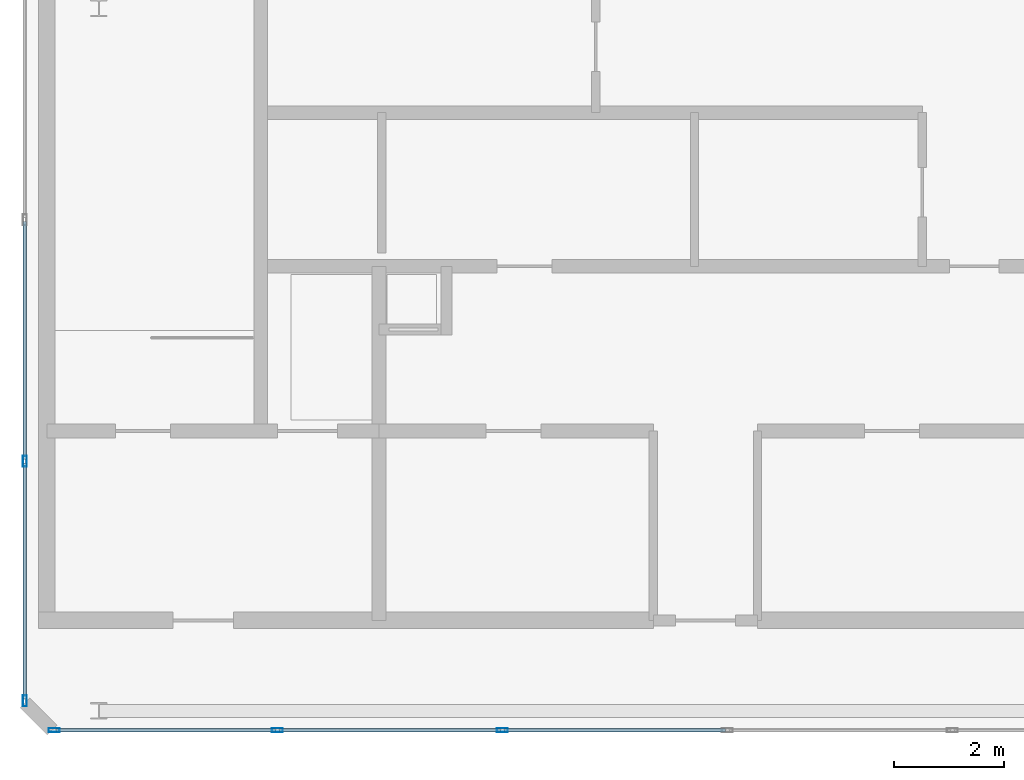
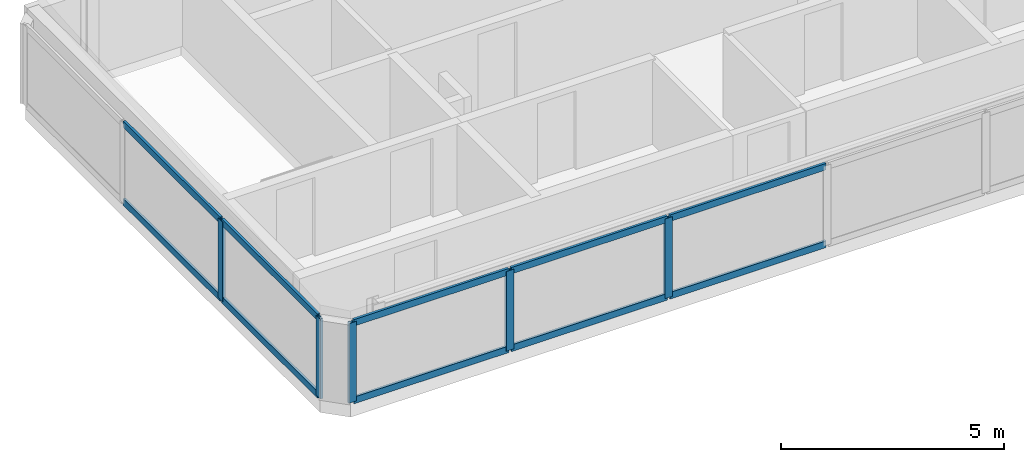
# One storey, part 2 of 9: 15 members, 2 elements without a shape of their own.
"""IFC4 building model written with IfcOpenShell, lengths in metres."""

from ifc_helpers import new_model, si_unit, direction, frame, origin, origin_2d, place, context, subcontext, project, spatial, hollow_rectangle, extrude, material, layer, layer_set, material_profile, profile_set, type_object, element, aggregate, save


model = new_model("IFC4")

# Units and contexts
model_context = context("Model", 3, precision=1e-05, world=origin(), true_north=direction((0.0, 1.0)))
body_context = subcontext(model_context, "Body", "Model", "MODEL_VIEW")
ifc_project = project(units=[si_unit("LENGTHUNIT", "METRE"), si_unit("AREAUNIT", "SQUARE_METRE"), si_unit("VOLUMEUNIT", "CUBIC_METRE"), si_unit("PLANEANGLEUNIT", "RADIAN"), si_unit("MASSUNIT", "GRAM", prefix="KILO")], contexts=[model_context])

# Site, building, storey
site_placement = place(None, origin())
site = spatial("IfcSite", under=ifc_project, at=site_placement, CompositionType="ELEMENT")
building_placement = place(site_placement, origin())
building = spatial("IfcBuilding", under=site, at=building_placement, Name="Catumbela Crestline Tower", CompositionType="ELEMENT")
storey_placement = place(building_placement, frame((0.0, 0.0, 318.5)))
storey = spatial("IfcBuildingStorey", under=building, at=storey_placement, Name="L82", CompositionType="ELEMENT", Elevation=318.5)

# Curtain wall, members
ifc_material = material(Name="Aluminium alloy AW-6060-T66", Category="aluminium")
ifc_layer = layer(ifc_material, 0.18, Name="Aluminium alloy AW-6060-T66")
ifc_layer_set = layer_set([ifc_layer], Name="Aluminium alloy AW-6060-T66")
curtain_wall_type = type_object("IfcCurtainWallType", Name="CWS-OBS", PredefinedType="USERDEFINED", material=ifc_layer_set)
curtain_wall_1_placement = place(storey_placement, origin())
curtain_wall_1 = element("IfcCurtainWall", 1, at=curtain_wall_1_placement, inside=storey, type_object=curtain_wall_type, Name="L82 Stick Curtain Wall CW-L82-E0S1", ObjectType="STICK", PredefinedType="USERDEFINED")
ifc_material_profile_1 = material_profile(ifc_material, hollow_rectangle(XDim=0.075, YDim=0.2, WallThickness=0.005, at=origin_2d()), Name="ALU 200x75x5")
ifc_profile_set_1 = profile_set([ifc_material_profile_1], Name="Aluminium alloy AW-6060-T66")
member_type_1 = type_object("IfcMemberType", Name="MUL-200X75", PredefinedType="MULLION", material=ifc_profile_set_1)
member_1_placement = place(storey_placement, frame((16.1325, 28.8, 0.0), z_axis=(0.0, 0.0, 1.0), x_axis=(0.0, 1.0, 0.0)))
member_1 = element("IfcMember", 2, at=member_1_placement, type_object=member_type_1, Name="CWS-OBS mullion 1", PredefinedType="MULLION", context=body_context, shape_type="SweptSolid", body=[
    extrude(hollow_rectangle(XDim=0.075, YDim=0.2, WallThickness=0.005, at=origin_2d()), origin(), (0.0, 0.0, 1.0), 2.18),
])
member_2_placement = place(storey_placement, frame((20.2, 28.8, 0.0), z_axis=(0.0, 0.0, 1.0), x_axis=(0.0, 1.0, 0.0)))
member_2 = element("IfcMember", 3, at=member_2_placement, type_object=member_type_1, Name="CWS-OBS mullion 2", PredefinedType="MULLION", context=body_context, shape_type="SweptSolid", body=[
    extrude(hollow_rectangle(XDim=0.075, YDim=0.2, WallThickness=0.005, at=origin_2d()), origin(), (0.0, 0.0, 1.0), 2.18),
])
member_3_placement = place(storey_placement, frame((24.3, 28.8, 0.0), z_axis=(0.0, 0.0, 1.0), x_axis=(0.0, 1.0, 0.0)))
member_3 = element("IfcMember", 4, at=member_3_placement, type_object=member_type_1, Name="CWS-OBS mullion 3", PredefinedType="MULLION", context=body_context, shape_type="SweptSolid", body=[
    extrude(hollow_rectangle(XDim=0.075, YDim=0.2, WallThickness=0.005, at=origin_2d()), origin(), (0.0, 0.0, 1.0), 2.18),
])

curtain_wall_2_placement = place(storey_placement, origin())
curtain_wall_2 = element("IfcCurtainWall", 5, at=curtain_wall_2_placement, inside=storey, type_object=curtain_wall_type, Name="L82 Stick Curtain Wall CW-L82-E6S1", ObjectType="STICK", PredefinedType="USERDEFINED")
member_4_placement = place(storey_placement, frame((15.6, 33.7, 0.0), z_axis=(0.0, 0.0, 1.0), x_axis=(1.0, 0.0, 0.0)))
member_4 = element("IfcMember", 6, at=member_4_placement, type_object=member_type_1, Name="CWS-OBS mullion 3", PredefinedType="MULLION", context=body_context, shape_type="SweptSolid", body=[
    extrude(hollow_rectangle(XDim=0.075, YDim=0.2, WallThickness=0.005, at=origin_2d()), origin(), (0.0, 0.0, 1.0), 2.18),
])
member_5_placement = place(storey_placement, frame((15.6, 29.3325, 0.0), z_axis=(0.0, 0.0, 1.0), x_axis=(1.0, 0.0, 0.0)))
member_5 = element("IfcMember", 7, at=member_5_placement, type_object=member_type_1, Name="CWS-OBS mullion 4", PredefinedType="MULLION", context=body_context, shape_type="SweptSolid", body=[
    extrude(hollow_rectangle(XDim=0.075, YDim=0.2, WallThickness=0.005, at=origin_2d()), origin(), (0.0, 0.0, 1.0), 2.18),
])

# Member
ifc_material_profile_2 = material_profile(ifc_material, hollow_rectangle(XDim=0.065, YDim=0.18, WallThickness=0.004, at=origin_2d()), Name="ALU 180x65x4")
ifc_profile_set_2 = profile_set([ifc_material_profile_2], Name="Aluminium alloy AW-6060-T66")
member_type_2 = type_object("IfcMemberType", Name="TRN-180X65", PredefinedType="USERDEFINED", material=ifc_profile_set_2)
member_6_placement = place(storey_placement, frame((16.165, 28.8, 0.03), z_axis=(1.0, 0.0, 0.0), x_axis=(0.0, 1.0, 0.0)))
member_6 = element("IfcMember", 8, at=member_6_placement, type_object=member_type_2, Name="CWS-OBS transom 1.1", ObjectType="TRANSOM", PredefinedType="USERDEFINED", context=body_context, shape_type="SweptSolid", body=[
    extrude(hollow_rectangle(XDim=0.065, YDim=0.18, WallThickness=0.004, at=origin_2d()), origin(), (0.0, 0.0, 1.0), 4.0025),
])

member_7_placement = place(storey_placement, frame((16.165, 28.8, 2.15), z_axis=(1.0, 0.0, 0.0), x_axis=(0.0, 1.0, 0.0)))
member_7 = element("IfcMember", 9, at=member_7_placement, type_object=member_type_2, Name="CWS-OBS transom 1.2", ObjectType="TRANSOM", PredefinedType="USERDEFINED", context=body_context, shape_type="SweptSolid", body=[
    extrude(hollow_rectangle(XDim=0.065, YDim=0.18, WallThickness=0.004, at=origin_2d()), origin(), (0.0, 0.0, 1.0), 4.0025),
])

member_8_placement = place(storey_placement, frame((20.2325, 28.8, 0.03), z_axis=(1.0, 0.0, 0.0), x_axis=(0.0, 1.0, 0.0)))
member_8 = element("IfcMember", 10, at=member_8_placement, type_object=member_type_2, Name="CWS-OBS transom 2.1", ObjectType="TRANSOM", PredefinedType="USERDEFINED", context=body_context, shape_type="SweptSolid", body=[
    extrude(hollow_rectangle(XDim=0.065, YDim=0.18, WallThickness=0.004, at=origin_2d()), origin(), (0.0, 0.0, 1.0), 4.035),
])

member_9_placement = place(storey_placement, frame((20.2325, 28.8, 2.15), z_axis=(1.0, 0.0, 0.0), x_axis=(0.0, 1.0, 0.0)))
member_9 = element("IfcMember", 11, at=member_9_placement, type_object=member_type_2, Name="CWS-OBS transom 2.2", ObjectType="TRANSOM", PredefinedType="USERDEFINED", context=body_context, shape_type="SweptSolid", body=[
    extrude(hollow_rectangle(XDim=0.065, YDim=0.18, WallThickness=0.004, at=origin_2d()), origin(), (0.0, 0.0, 1.0), 4.035),
])

member_10_placement = place(storey_placement, frame((24.3325, 28.8, 0.03), z_axis=(1.0, 0.0, 0.0), x_axis=(0.0, 1.0, 0.0)))
member_10 = element("IfcMember", 12, at=member_10_placement, type_object=member_type_2, Name="CWS-OBS transom 3.1", ObjectType="TRANSOM", PredefinedType="USERDEFINED", context=body_context, shape_type="SweptSolid", body=[
    extrude(hollow_rectangle(XDim=0.065, YDim=0.18, WallThickness=0.004, at=origin_2d()), origin(), (0.0, 0.0, 1.0), 4.035),
])

member_11_placement = place(storey_placement, frame((24.3325, 28.8, 2.15), z_axis=(1.0, 0.0, 0.0), x_axis=(0.0, 1.0, 0.0)))
member_11 = element("IfcMember", 13, at=member_11_placement, type_object=member_type_2, Name="CWS-OBS transom 3.2", ObjectType="TRANSOM", PredefinedType="USERDEFINED", context=body_context, shape_type="SweptSolid", body=[
    extrude(hollow_rectangle(XDim=0.065, YDim=0.18, WallThickness=0.004, at=origin_2d()), origin(), (0.0, 0.0, 1.0), 4.035),
])

aggregate(curtain_wall_1, [member_1, member_2, member_3, member_6, member_7, member_8, member_9, member_10, member_11])

member_12_placement = place(storey_placement, frame((15.6, 38.0675, 0.03), z_axis=(0.0, -1.0, 0.0), x_axis=(1.0, 0.0, 0.0)))
member_12 = element("IfcMember", 14, at=member_12_placement, type_object=member_type_2, Name="CWS-OBS transom 2.1", ObjectType="TRANSOM", PredefinedType="USERDEFINED", context=body_context, shape_type="SweptSolid", body=[
    extrude(hollow_rectangle(XDim=0.065, YDim=0.18, WallThickness=0.004, at=origin_2d()), origin(), (0.0, 0.0, 1.0), 4.335),
])

member_13_placement = place(storey_placement, frame((15.6, 38.0675, 2.15), z_axis=(0.0, -1.0, 0.0), x_axis=(1.0, 0.0, 0.0)))
member_13 = element("IfcMember", 15, at=member_13_placement, type_object=member_type_2, Name="CWS-OBS transom 2.2", ObjectType="TRANSOM", PredefinedType="USERDEFINED", context=body_context, shape_type="SweptSolid", body=[
    extrude(hollow_rectangle(XDim=0.065, YDim=0.18, WallThickness=0.004, at=origin_2d()), origin(), (0.0, 0.0, 1.0), 4.335),
])

member_14_placement = place(storey_placement, frame((15.6, 33.6675, 0.03), z_axis=(0.0, -1.0, 0.0), x_axis=(1.0, 0.0, 0.0)))
member_14 = element("IfcMember", 16, at=member_14_placement, type_object=member_type_2, Name="CWS-OBS transom 3.1", ObjectType="TRANSOM", PredefinedType="USERDEFINED", context=body_context, shape_type="SweptSolid", body=[
    extrude(hollow_rectangle(XDim=0.065, YDim=0.18, WallThickness=0.004, at=origin_2d()), origin(), (0.0, 0.0, 1.0), 4.3025),
])

member_15_placement = place(storey_placement, frame((15.6, 33.6675, 2.15), z_axis=(0.0, -1.0, 0.0), x_axis=(1.0, 0.0, 0.0)))
member_15 = element("IfcMember", 17, at=member_15_placement, type_object=member_type_2, Name="CWS-OBS transom 3.2", ObjectType="TRANSOM", PredefinedType="USERDEFINED", context=body_context, shape_type="SweptSolid", body=[
    extrude(hollow_rectangle(XDim=0.065, YDim=0.18, WallThickness=0.004, at=origin_2d()), origin(), (0.0, 0.0, 1.0), 4.3025),
])

aggregate(curtain_wall_2, [member_4, member_5, member_12, member_13, member_14, member_15])

save(model, "model.ifc")
